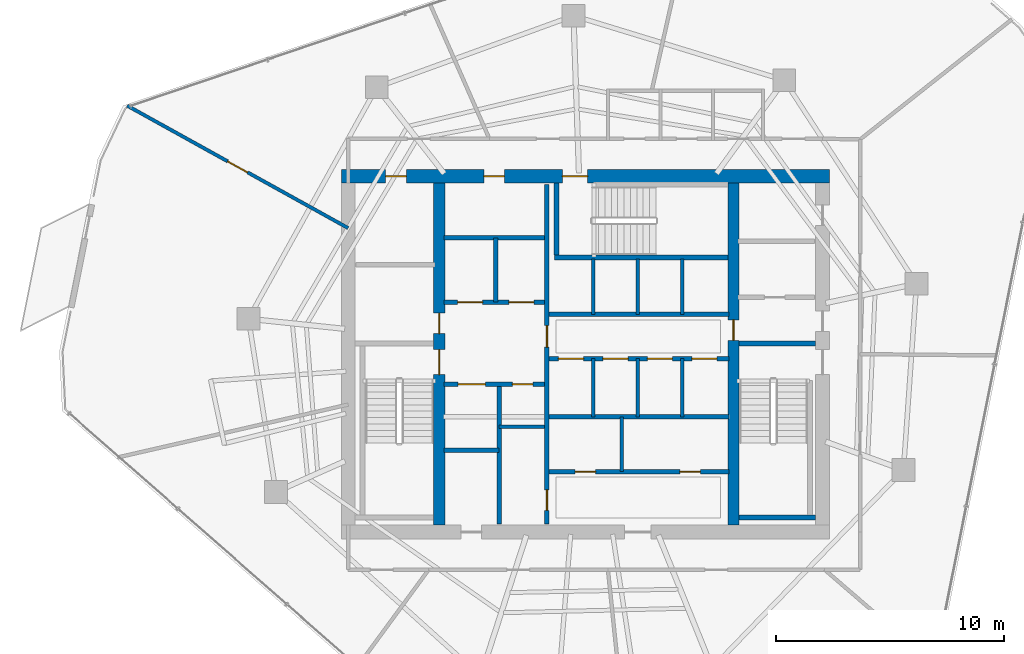
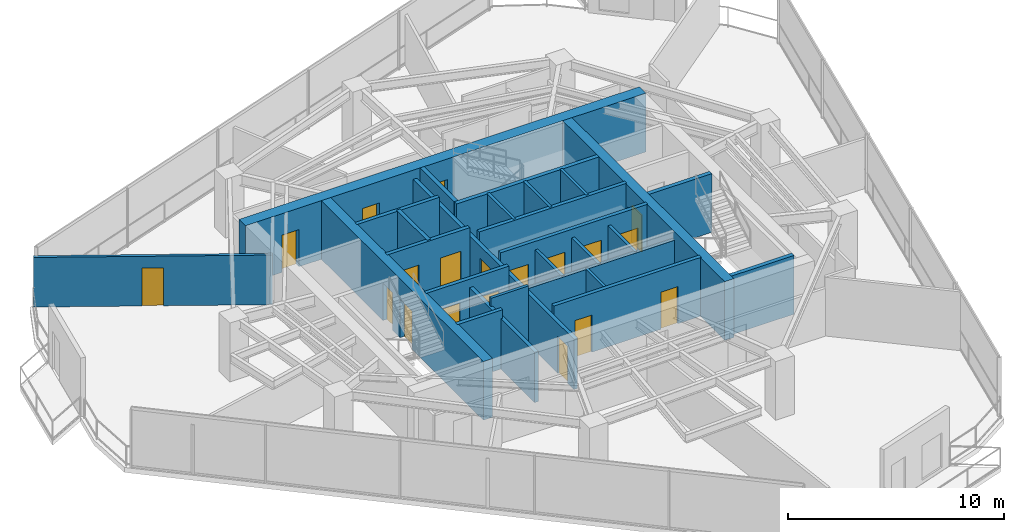
# One storey, part 16 of 20: 27 walls, 19 doors, 19 openings.
"""IFC4 building model written with IfcOpenShell, lengths in metres."""

from ifc_helpers import new_model, si_unit, direction, frame, frame_2d, origin, place, context, subcontext, project, spatial, rectangle, extrude, material, layer, layer_set, type_object, element, fill, save


model = new_model("IFC4")

# Units and contexts
model_context = context("Model", 3, precision=1e-05, world=origin(), true_north=direction((0.0, 1.0)))
body_context = subcontext(model_context, "Body", "Model", "MODEL_VIEW")
ifc_project = project(units=[si_unit("LENGTHUNIT", "METRE"), si_unit("AREAUNIT", "SQUARE_METRE"), si_unit("VOLUMEUNIT", "CUBIC_METRE"), si_unit("PLANEANGLEUNIT", "RADIAN"), si_unit("MASSUNIT", "GRAM", prefix="KILO")], contexts=[model_context])

# Site, building, storey
site_placement = place(None, origin())
site = spatial("IfcSite", under=ifc_project, at=site_placement, CompositionType="ELEMENT")
building_placement = place(site_placement, origin())
building = spatial("IfcBuilding", under=site, at=building_placement, Name="Qarnah Convention Tower", CompositionType="ELEMENT")
storey_placement = place(building_placement, frame((0.0, 0.0, 136.5)))
storey = spatial("IfcBuildingStorey", under=building, at=storey_placement, Name="L36", CompositionType="ELEMENT", Elevation=136.5)

# Wall, openings, doors
ifc_material_1 = material(Name="Concrete C60/75", Category="concrete")
ifc_layer_1 = layer(ifc_material_1, 0.60009765625)
ifc_layer_set_1 = layer_set([ifc_layer_1], Name="Concrete C60/75")
wall_type_1 = type_object("IfcWallType", Name="WL-CORE-600", PredefinedType="SHEAR", material=ifc_layer_set_1)
wall_1_placement = place(storey_placement, frame((26.5, 34.199951171875, 0.0), z_axis=(0.0, 0.0, 1.0), x_axis=(1.0, 0.0, 0.0)))
wall_1 = element("IfcWall", 1, at=wall_1_placement, inside=storey, type_object=wall_type_1, Name="L36 core north shear wall", PredefinedType="SHEAR", context=body_context, shape_type="SweptSolid", body=[
    extrude(rectangle(XDim=21.39990234375, YDim=0.60009765625, at=frame_2d((10.699951171875, 0.0))), origin(), (0.0, 0.0, 1.0), 3.320068359375),
])
opening_1_placement = place(wall_1_placement, frame((9.699951171875, 0.0, 0.0)))
opening_1 = element("IfcOpeningElement", 2, at=opening_1_placement, cuts=wall_1, Name="Opening D-3603", PredefinedType="OPENING", context=body_context, shape_type="SweptSolid", body=[
    extrude(rectangle(XDim=1.10009765625, YDim=2.14990234375, at=frame_2d((0.550048828125, 1.074951171875))), frame((0.0, 0.31005859375, 0.0), z_axis=(0.0, -1.0, 0.0), x_axis=(1.0, 0.0, 0.0)), (0.0, 0.0, 1.0), 0.6201171875),
])
opening_2_placement = place(wall_1_placement, frame((1.949951171875, 0.0, 0.0)))
opening_2 = element("IfcOpeningElement", 3, at=opening_2_placement, cuts=wall_1, Name="Opening D-3609", PredefinedType="OPENING", context=body_context, shape_type="SweptSolid", body=[
    extrude(rectangle(XDim=0.89990234375, YDim=2.10009765625, at=frame_2d((0.449951171875, 1.050048828125))), frame((0.0, 0.31005859375, 0.0), z_axis=(0.0, -1.0, 0.0), x_axis=(1.0, 0.0, 0.0)), (0.0, 0.0, 1.0), 0.6201171875),
])
opening_3_placement = place(wall_1_placement, frame((6.25, 0.0, 0.0)))
opening_3 = element("IfcOpeningElement", 4, at=opening_3_placement, cuts=wall_1, Name="Opening D-3610", PredefinedType="OPENING", context=body_context, shape_type="SweptSolid", body=[
    extrude(rectangle(XDim=0.89990234375, YDim=2.10009765625, at=frame_2d((0.449951171875, 1.050048828125))), frame((0.0, 0.31005859375, 0.0), z_axis=(0.0, -1.0, 0.0), x_axis=(1.0, 0.0, 0.0)), (0.0, 0.0, 1.0), 0.6201171875),
])
ifc_material_2 = material(Name="Structural steel S355JR", Category="steel")
door_type_1 = type_object("IfcDoorType", Name="DT-RISER-900", OperationType="NOTDEFINED", PredefinedType="DOOR", material=ifc_material_2)
door_1_placement = place(opening_2_placement, origin())
door_1 = element("IfcDoor", 5, at=door_1_placement, inside=storey, type_object=door_type_1, Name="Door D-3609", OperationType="SINGLE_SWING_RIGHT", OverallHeight=2.10009765625, OverallWidth=0.89990234375, PredefinedType="DOOR", context=body_context, shape_type="SweptSolid", body=[
    extrude(rectangle(XDim=0.89990234375, YDim=2.10009765625, at=frame_2d((0.449951171875, 1.050048828125))), frame((0.0, 0.02490234375, 0.0), z_axis=(0.0, -1.0, 0.0), x_axis=(1.0, 0.0, 0.0)), (0.0, 0.0, 1.0), 0.050048828125),
])
fill(opening_2, door_1)
door_2_placement = place(opening_3_placement, origin())
door_2 = element("IfcDoor", 6, at=door_2_placement, inside=storey, type_object=door_type_1, Name="Door D-3610", OperationType="SINGLE_SWING_LEFT", OverallHeight=2.10009765625, OverallWidth=0.89990234375, PredefinedType="DOOR", context=body_context, shape_type="SweptSolid", body=[
    extrude(rectangle(XDim=0.89990234375, YDim=2.10009765625, at=frame_2d((0.449951171875, 1.050048828125))), frame((0.0, 0.02490234375, 0.0), z_axis=(0.0, -1.0, 0.0), x_axis=(1.0, 0.0, 0.0)), (0.0, 0.0, 1.0), 0.050048828125),
])
fill(opening_3, door_2)
door_type_2 = type_object("IfcDoorType", Name="DT-STAIR-1100", OperationType="NOTDEFINED", PredefinedType="DOOR", material=ifc_material_2)
door_3_placement = place(opening_1_placement, origin())
door_3 = element("IfcDoor", 7, at=door_3_placement, inside=storey, type_object=door_type_2, Name="Door D-3603", OperationType="SINGLE_SWING_RIGHT", OverallHeight=2.14990234375, OverallWidth=1.10009765625, PredefinedType="DOOR", context=body_context, shape_type="SweptSolid", body=[
    extrude(rectangle(XDim=1.10009765625, YDim=2.14990234375, at=frame_2d((0.550048828125, 1.074951171875))), frame((0.0, 0.02490234375, 0.0), z_axis=(0.0, -1.0, 0.0), x_axis=(1.0, 0.0, 0.0)), (0.0, 0.0, 1.0), 0.050048828125),
])
fill(opening_1, door_3)

ifc_layer_2 = layer(ifc_material_1, 0.5)
ifc_layer_set_2 = layer_set([ifc_layer_2], Name="Concrete C60/75")
wall_type_2 = type_object("IfcWallType", Name="WL-CORE-INT-400", PredefinedType="SHEAR", material=ifc_layer_set_2)
wall_2_placement = place(storey_placement, frame((30.800048828125, 18.89990234375, 0.0), z_axis=(0.0, 0.0, 1.0), x_axis=(0.0, 1.0, 0.0)))
wall_2 = element("IfcWall", 8, at=wall_2_placement, inside=storey, type_object=wall_type_2, Name="L36 core west spine shear wall", PredefinedType="SHEAR", context=body_context, shape_type="SweptSolid", body=[
    extrude(rectangle(XDim=15.0, YDim=0.5, at=frame_2d((7.5, 0.0))), origin(), (0.0, 0.0, 1.0), 3.320068359375),
])
opening_4_placement = place(wall_2_placement, frame((6.60009765625, 0.0, 0.0)))
opening_4 = element("IfcOpeningElement", 9, at=opening_4_placement, cuts=wall_2, Name="Opening D-3601", PredefinedType="OPENING", context=body_context, shape_type="SweptSolid", body=[
    extrude(rectangle(XDim=1.10009765625, YDim=2.14990234375, at=frame_2d((0.550048828125, 1.074951171875))), frame((0.0, 0.260009765625, 0.0), z_axis=(0.0, -1.0, 0.0), x_axis=(1.0, 0.0, 0.0)), (0.0, 0.0, 1.0), 0.52001953125),
])
opening_5_placement = place(wall_2_placement, frame((8.39990234375, 0.0, 0.0)))
opening_5 = element("IfcOpeningElement", 10, at=opening_5_placement, cuts=wall_2, Name="Opening D-3608", PredefinedType="OPENING", context=body_context, shape_type="SweptSolid", body=[
    extrude(rectangle(XDim=0.89990234375, YDim=2.10009765625, at=frame_2d((0.449951171875, 1.050048828125))), frame((0.0, 0.260009765625, 0.0), z_axis=(0.0, -1.0, 0.0), x_axis=(1.0, 0.0, 0.0)), (0.0, 0.0, 1.0), 0.52001953125),
])
door_4_placement = place(opening_5_placement, origin())
door_4 = element("IfcDoor", 11, at=door_4_placement, inside=storey, type_object=door_type_1, Name="Door D-3608", OperationType="SINGLE_SWING_LEFT", OverallHeight=2.10009765625, OverallWidth=0.89990234375, PredefinedType="DOOR", context=body_context, shape_type="SweptSolid", body=[
    extrude(rectangle(XDim=0.89990234375, YDim=2.10009765625, at=frame_2d((0.449951171875, 1.050048828125))), frame((0.0, 0.02490234375, 0.0), z_axis=(0.0, -1.0, 0.0), x_axis=(1.0, 0.0, 0.0)), (0.0, 0.0, 1.0), 0.050048828125),
])
fill(opening_5, door_4)
door_5_placement = place(opening_4_placement, origin())
door_5 = element("IfcDoor", 12, at=door_5_placement, inside=storey, type_object=door_type_2, Name="Door D-3601", OperationType="SINGLE_SWING_RIGHT", OverallHeight=2.14990234375, OverallWidth=1.10009765625, PredefinedType="DOOR", context=body_context, shape_type="SweptSolid", body=[
    extrude(rectangle(XDim=1.10009765625, YDim=2.14990234375, at=frame_2d((0.550048828125, 1.074951171875))), frame((0.0, 0.02490234375, 0.0), z_axis=(0.0, -1.0, 0.0), x_axis=(1.0, 0.0, 0.0)), (0.0, 0.0, 1.0), 0.050048828125),
])
fill(opening_4, door_5)

# Wall, opening, door
wall_3_placement = place(storey_placement, frame((43.699951171875, 18.89990234375, 0.0), z_axis=(0.0, 0.0, 1.0), x_axis=(0.0, 1.0, 0.0)))
wall_3 = element("IfcWall", 13, at=wall_3_placement, inside=storey, type_object=wall_type_2, Name="L36 core east spine shear wall", PredefinedType="SHEAR", context=body_context, shape_type="SweptSolid", body=[
    extrude(rectangle(XDim=15.0, YDim=0.5, at=frame_2d((7.5, 0.0))), origin(), (0.0, 0.0, 1.0), 3.320068359375),
])
opening_6_placement = place(wall_3_placement, frame((8.10009765625, 0.0, 0.0)))
opening_6 = element("IfcOpeningElement", 14, at=opening_6_placement, cuts=wall_3, Name="Opening D-3605", PredefinedType="OPENING", context=body_context, shape_type="SweptSolid", body=[
    extrude(rectangle(XDim=0.89990234375, YDim=2.10009765625, at=frame_2d((0.449951171875, 1.050048828125))), frame((0.0, 0.260009765625, 0.0), z_axis=(0.0, -1.0, 0.0), x_axis=(1.0, 0.0, 0.0)), (0.0, 0.0, 1.0), 0.52001953125),
])
door_6_placement = place(opening_6_placement, origin())
door_6 = element("IfcDoor", 15, at=door_6_placement, inside=storey, type_object=door_type_1, Name="Door D-3605", OperationType="SINGLE_SWING_RIGHT", OverallHeight=2.10009765625, OverallWidth=0.89990234375, PredefinedType="DOOR", context=body_context, shape_type="SweptSolid", body=[
    extrude(rectangle(XDim=0.89990234375, YDim=2.10009765625, at=frame_2d((0.449951171875, 1.050048828125))), frame((0.0, 0.02490234375, 0.0), z_axis=(0.0, -1.0, 0.0), x_axis=(1.0, 0.0, 0.0)), (0.0, 0.0, 1.0), 0.050048828125),
])
fill(opening_6, door_6)

# Wall, openings, doors
ifc_material_3 = material(Name="Concrete C45/55", Category="concrete")
ifc_layer_3 = layer(ifc_material_3, 0.199951171875)
ifc_layer_set_3 = layer_set([ifc_layer_3], Name="Concrete C45/55")
wall_type_3 = type_object("IfcWallType", Name="WL-CORE-PART-200", PredefinedType="SOLIDWALL", material=ifc_layer_set_3)
wall_4_placement = place(storey_placement, frame((35.52001953125, 18.949951171875, 0.0), z_axis=(0.0, 0.0, 1.0), x_axis=(0.0, 1.0, 0.0)))
wall_4 = element("IfcWall", 16, at=wall_4_placement, inside=storey, type_object=wall_type_3, Name="L36 interior wall IW-L36-CSP", PredefinedType="SOLIDWALL", context=body_context, shape_type="SweptSolid", body=[
    extrude(rectangle(XDim=14.900146484375, YDim=0.199951171875, at=frame_2d((7.4501953125, 0.0))), origin(), (0.0, 0.0, 1.0), 2.841064453125),
])
opening_7_placement = place(wall_4_placement, frame((7.7548828125, 0.0, 0.0)))
opening_7 = element("IfcOpeningElement", 17, at=opening_7_placement, cuts=wall_4, Name="Opening D-3604", PredefinedType="OPENING", context=body_context, shape_type="SweptSolid", body=[
    extrude(rectangle(XDim=0.949951171875, YDim=2.14990234375, at=frame_2d((0.47509765625, 1.074951171875))), frame((0.0, 0.10986328125, 0.0), z_axis=(0.0, -1.0, 0.0), x_axis=(1.0, 0.0, 0.0)), (0.0, 0.0, 1.0), 0.219970703125),
])
opening_8_placement = place(wall_4_placement, frame((0.60009765625, 0.0, 0.0)))
opening_8 = element("IfcOpeningElement", 18, at=opening_8_placement, cuts=wall_4, Name="Opening D-3614", PredefinedType="OPENING", context=body_context, shape_type="SweptSolid", body=[
    extrude(rectangle(XDim=0.89990234375, YDim=2.10009765625, at=frame_2d((0.449951171875, 1.050048828125))), frame((0.0, 0.10986328125, 0.0), z_axis=(0.0, -1.0, 0.0), x_axis=(1.0, 0.0, 0.0)), (0.0, 0.0, 1.0), 0.219970703125),
])
ifc_material_4 = material(Name="Oak timber veneer", Category="wood")
door_type_3 = type_object("IfcDoorType", Name="DT-HOTEL-950", OperationType="NOTDEFINED", PredefinedType="DOOR", material=ifc_material_4)
door_7_placement = place(opening_7_placement, origin())
door_7 = element("IfcDoor", 19, at=door_7_placement, inside=storey, type_object=door_type_3, Name="Door D-3604", OperationType="SINGLE_SWING_LEFT", OverallHeight=2.14990234375, OverallWidth=0.949951171875, PredefinedType="DOOR", context=body_context, shape_type="SweptSolid", body=[
    extrude(rectangle(XDim=0.949951171875, YDim=2.14990234375, at=frame_2d((0.47509765625, 1.074951171875))), frame((0.0, 0.02490234375, 0.0), z_axis=(0.0, -1.0, 0.0), x_axis=(1.0, 0.0, 0.0)), (0.0, 0.0, 1.0), 0.050048828125),
])
fill(opening_7, door_7)
door_8_placement = place(opening_8_placement, origin())
door_8 = element("IfcDoor", 20, at=door_8_placement, inside=storey, type_object=door_type_1, Name="Door D-3614", OperationType="SINGLE_SWING_LEFT", OverallHeight=2.10009765625, OverallWidth=0.89990234375, PredefinedType="DOOR", context=body_context, shape_type="SweptSolid", body=[
    extrude(rectangle(XDim=0.89990234375, YDim=2.10009765625, at=frame_2d((0.449951171875, 1.050048828125))), frame((0.0, 0.02490234375, 0.0), z_axis=(0.0, -1.0, 0.0), x_axis=(1.0, 0.0, 0.0)), (0.0, 0.0, 1.0), 0.050048828125),
])
fill(opening_8, door_8)

wall_5_placement = place(storey_placement, frame((31.0, 28.679931640625, 0.0), z_axis=(0.0, 0.0, 1.0), x_axis=(1.0, 0.0, 0.0)))
wall_5 = element("IfcWall", 21, at=wall_5_placement, inside=storey, type_object=wall_type_3, Name="L36 interior wall IW-L36-FFLS", PredefinedType="SOLIDWALL", context=body_context, shape_type="SweptSolid", body=[
    extrude(rectangle(XDim=4.419921875, YDim=0.199951171875, at=frame_2d((2.2099609375, 0.0))), origin(), (0.0, 0.0, 1.0), 3.320068359375),
])
opening_9_placement = place(wall_5_placement, frame((0.60009765625, 0.0, 0.0)))
opening_9 = element("IfcOpeningElement", 22, at=opening_9_placement, cuts=wall_5, Name="Opening LD-3601", PredefinedType="OPENING", context=body_context, shape_type="SweptSolid", body=[
    extrude(rectangle(XDim=1.10009765625, YDim=2.14990234375, at=frame_2d((0.550048828125, 1.074951171875))), frame((0.0, 0.10986328125, 0.0), z_axis=(0.0, -1.0, 0.0), x_axis=(1.0, 0.0, 0.0)), (0.0, 0.0, 1.0), 0.219970703125),
])
opening_10_placement = place(wall_5_placement, frame((2.85009765625, 0.0, 0.0)))
opening_10 = element("IfcOpeningElement", 23, at=opening_10_placement, cuts=wall_5, Name="Opening LD-3602", PredefinedType="OPENING", context=body_context, shape_type="SweptSolid", body=[
    extrude(rectangle(XDim=1.10009765625, YDim=2.14990234375, at=frame_2d((0.550048828125, 1.074951171875))), frame((0.0, 0.10986328125, 0.0), z_axis=(0.0, -1.0, 0.0), x_axis=(1.0, 0.0, 0.0)), (0.0, 0.0, 1.0), 0.219970703125),
])
door_type_4 = type_object("IfcDoorType", Name="DT-LIFT-1100", OperationType="SLIDING_TO_LEFT", PredefinedType="DOOR", material=ifc_material_2)
door_9_placement = place(opening_9_placement, origin())
door_9 = element("IfcDoor", 24, at=door_9_placement, inside=storey, type_object=door_type_4, Name="Door LD-3601", OperationType="SLIDING_TO_LEFT", OverallHeight=2.14990234375, OverallWidth=1.10009765625, PredefinedType="DOOR", context=body_context, shape_type="SweptSolid", body=[
    extrude(rectangle(XDim=1.10009765625, YDim=2.14990234375, at=frame_2d((0.550048828125, 1.074951171875))), frame((0.0, 0.02490234375, 0.0), z_axis=(0.0, -1.0, 0.0), x_axis=(1.0, 0.0, 0.0)), (0.0, 0.0, 1.0), 0.050048828125),
])
fill(opening_9, door_9)
door_10_placement = place(opening_10_placement, origin())
door_10 = element("IfcDoor", 25, at=door_10_placement, inside=storey, type_object=door_type_4, Name="Door LD-3602", OperationType="SLIDING_TO_LEFT", OverallHeight=2.14990234375, OverallWidth=1.10009765625, PredefinedType="DOOR", context=body_context, shape_type="SweptSolid", body=[
    extrude(rectangle(XDim=1.10009765625, YDim=2.14990234375, at=frame_2d((0.550048828125, 1.074951171875))), frame((0.0, 0.02490234375, 0.0), z_axis=(0.0, -1.0, 0.0), x_axis=(1.0, 0.0, 0.0)), (0.0, 0.0, 1.0), 0.050048828125),
])
fill(opening_10, door_10)

# Walls
wall_6_placement = place(storey_placement, frame((31.0, 31.5, 0.0), z_axis=(0.0, 0.0, 1.0), x_axis=(1.0, 0.0, 0.0)))
element("IfcWall", 26, at=wall_6_placement, inside=storey, type_object=wall_type_3, Name="L36 interior wall IW-L36-FFLN", PredefinedType="SOLIDWALL", context=body_context, shape_type="SweptSolid", body=[
    extrude(rectangle(XDim=4.419921875, YDim=0.199951171875, at=frame_2d((2.2099609375, 0.0))), origin(), (0.0, 0.0, 1.0), 3.320068359375),
])
wall_7_placement = place(storey_placement, frame((33.280029296875, 28.679931640625, 0.0), z_axis=(0.0, 0.0, 1.0), x_axis=(0.0, 1.0, 0.0)))
element("IfcWall", 27, at=wall_7_placement, inside=storey, type_object=wall_type_3, Name="L36 interior wall IW-L36-FFLM", PredefinedType="SOLIDWALL", context=body_context, shape_type="SweptSolid", body=[
    extrude(rectangle(XDim=2.820068359375, YDim=0.199951171875, at=frame_2d((1.41015625, 0.0))), origin(), (0.0, 0.0, 1.0), 3.320068359375),
])

# Wall, openings, doors
wall_8_placement = place(storey_placement, frame((31.0, 25.080078125, 0.0), z_axis=(0.0, 0.0, 1.0), x_axis=(1.0, 0.0, 0.0)))
wall_8 = element("IfcWall", 28, at=wall_8_placement, inside=storey, type_object=wall_type_3, Name="L36 interior wall IW-L36-FFLBS", PredefinedType="SOLIDWALL", context=body_context, shape_type="SweptSolid", body=[
    extrude(rectangle(XDim=4.419921875, YDim=0.199951171875, at=frame_2d((2.2099609375, 0.0))), origin(), (0.0, 0.0, 1.0), 3.320068359375),
])
opening_11_placement = place(wall_8_placement, frame((3.0, 0.0, 0.0)))
opening_11 = element("IfcOpeningElement", 29, at=opening_11_placement, cuts=wall_8, Name="Opening D-3615", PredefinedType="OPENING", context=body_context, shape_type="SweptSolid", body=[
    extrude(rectangle(XDim=0.89990234375, YDim=2.10009765625, at=frame_2d((0.449951171875, 1.050048828125))), frame((0.0, 0.10986328125, 0.0), z_axis=(0.0, -1.0, 0.0), x_axis=(1.0, 0.0, 0.0)), (0.0, 0.0, 1.0), 0.219970703125),
])
opening_12_placement = place(wall_8_placement, frame((0.6201171875, 0.0, 0.0)))
opening_12 = element("IfcOpeningElement", 30, at=opening_12_placement, cuts=wall_8, Name="Opening LD-3603", PredefinedType="OPENING", context=body_context, shape_type="SweptSolid", body=[
    extrude(rectangle(XDim=1.199951171875, YDim=2.14990234375, at=frame_2d((0.60009765625, 1.074951171875))), frame((0.0, 0.10986328125, 0.0), z_axis=(0.0, -1.0, 0.0), x_axis=(1.0, 0.0, 0.0)), (0.0, 0.0, 1.0), 0.219970703125),
])
door_type_5 = type_object("IfcDoorType", Name="DT-LIFT-1200", OperationType="SLIDING_TO_LEFT", PredefinedType="DOOR", material=ifc_material_2)
door_11_placement = place(opening_12_placement, origin())
door_11 = element("IfcDoor", 31, at=door_11_placement, inside=storey, type_object=door_type_5, Name="Door LD-3603", OperationType="SLIDING_TO_LEFT", OverallHeight=2.14990234375, OverallWidth=1.199951171875, PredefinedType="DOOR", context=body_context, shape_type="SweptSolid", body=[
    extrude(rectangle(XDim=1.199951171875, YDim=2.14990234375, at=frame_2d((0.60009765625, 1.074951171875))), frame((0.0, 0.02490234375, 0.0), z_axis=(0.0, -1.0, 0.0), x_axis=(1.0, 0.0, 0.0)), (0.0, 0.0, 1.0), 0.050048828125),
])
fill(opening_12, door_11)
door_12_placement = place(opening_11_placement, origin())
door_12 = element("IfcDoor", 32, at=door_12_placement, inside=storey, type_object=door_type_1, Name="Door D-3615", OperationType="SINGLE_SWING_RIGHT", OverallHeight=2.10009765625, OverallWidth=0.89990234375, PredefinedType="DOOR", context=body_context, shape_type="SweptSolid", body=[
    extrude(rectangle(XDim=0.89990234375, YDim=2.10009765625, at=frame_2d((0.449951171875, 1.050048828125))), frame((0.0, 0.02490234375, 0.0), z_axis=(0.0, -1.0, 0.0), x_axis=(1.0, 0.0, 0.0)), (0.0, 0.0, 1.0), 0.050048828125),
])
fill(opening_11, door_12)

# Walls
wall_9_placement = place(storey_placement, frame((33.419921875, 18.949951171875, 0.0), z_axis=(0.0, 0.0, 1.0), x_axis=(0.0, 1.0, 0.0)))
element("IfcWall", 33, at=wall_9_placement, inside=storey, type_object=wall_type_3, Name="L36 interior wall IW-L36-SVLE", PredefinedType="SOLIDWALL", context=body_context, shape_type="SweptSolid", body=[
    extrude(rectangle(XDim=6.130126953125, YDim=0.199951171875, at=frame_2d((3.06494140625, 0.0))), origin(), (0.0, 0.0, 1.0), 2.841064453125),
])
wall_10_placement = place(storey_placement, frame((31.0, 22.179931640625, 0.0), z_axis=(0.0, 0.0, 1.0), x_axis=(1.0, 0.0, 0.0)))
element("IfcWall", 34, at=wall_10_placement, inside=storey, type_object=wall_type_3, Name="L36 interior wall IW-L36-SVLS", PredefinedType="SOLIDWALL", context=body_context, shape_type="SweptSolid", body=[
    extrude(rectangle(XDim=2.419921875, YDim=0.199951171875, at=frame_2d((1.2099609375, 0.0))), origin(), (0.0, 0.0, 1.0), 3.320068359375),
])
wall_11_placement = place(storey_placement, frame((35.6201171875, 28.14990234375, 0.0), z_axis=(0.0, 0.0, 1.0), x_axis=(1.0, 0.0, 0.0)))
element("IfcWall", 35, at=wall_11_placement, inside=storey, type_object=wall_type_3, Name="L36 interior wall IW-L36-PHS", PredefinedType="SOLIDWALL", context=body_context, shape_type="SweptSolid", body=[
    extrude(rectangle(XDim=7.8798828125, YDim=0.199951171875, at=frame_2d((3.93994140625, 0.0))), origin(), (0.0, 0.0, 1.0), 3.320068359375),
])

# Wall, openings, doors
wall_12_placement = place(storey_placement, frame((35.6201171875, 26.199951171875, 0.0), z_axis=(0.0, 0.0, 1.0), x_axis=(1.0, 0.0, 0.0)))
wall_12 = element("IfcWall", 36, at=wall_12_placement, inside=storey, type_object=wall_type_3, Name="L36 interior wall IW-L36-PMN", PredefinedType="SOLIDWALL", context=body_context, shape_type="SweptSolid", body=[
    extrude(rectangle(XDim=7.8798828125, YDim=0.199951171875, at=frame_2d((3.93994140625, 0.0))), origin(), (0.0, 0.0, 1.0), 3.320068359375),
])
opening_13_placement = place(wall_12_placement, frame((0.405029296875, 0.0, 0.0)))
opening_13 = element("IfcOpeningElement", 37, at=opening_13_placement, cuts=wall_12, Name="Opening LD-3604", PredefinedType="OPENING", context=body_context, shape_type="SweptSolid", body=[
    extrude(rectangle(XDim=1.10009765625, YDim=2.14990234375, at=frame_2d((0.550048828125, 1.074951171875))), frame((0.0, 0.10986328125, 0.0), z_axis=(0.0, -1.0, 0.0), x_axis=(1.0, 0.0, 0.0)), (0.0, 0.0, 1.0), 0.219970703125),
])
opening_14_placement = place(wall_12_placement, frame((2.35498046875, 0.0, 0.0)))
opening_14 = element("IfcOpeningElement", 38, at=opening_14_placement, cuts=wall_12, Name="Opening LD-3605", PredefinedType="OPENING", context=body_context, shape_type="SweptSolid", body=[
    extrude(rectangle(XDim=1.10009765625, YDim=2.14990234375, at=frame_2d((0.550048828125, 1.074951171875))), frame((0.0, 0.10986328125, 0.0), z_axis=(0.0, -1.0, 0.0), x_axis=(1.0, 0.0, 0.0)), (0.0, 0.0, 1.0), 0.219970703125),
])
opening_15_placement = place(wall_12_placement, frame((4.304931640625, 0.0, 0.0)))
opening_15 = element("IfcOpeningElement", 39, at=opening_15_placement, cuts=wall_12, Name="Opening LD-3606", PredefinedType="OPENING", context=body_context, shape_type="SweptSolid", body=[
    extrude(rectangle(XDim=1.10009765625, YDim=2.14990234375, at=frame_2d((0.550048828125, 1.074951171875))), frame((0.0, 0.10986328125, 0.0), z_axis=(0.0, -1.0, 0.0), x_axis=(1.0, 0.0, 0.0)), (0.0, 0.0, 1.0), 0.219970703125),
])
opening_16_placement = place(wall_12_placement, frame((6.2548828125, 0.0, 0.0)))
opening_16 = element("IfcOpeningElement", 40, at=opening_16_placement, cuts=wall_12, Name="Opening LD-3607", PredefinedType="OPENING", context=body_context, shape_type="SweptSolid", body=[
    extrude(rectangle(XDim=1.10009765625, YDim=2.14990234375, at=frame_2d((0.550048828125, 1.074951171875))), frame((0.0, 0.10986328125, 0.0), z_axis=(0.0, -1.0, 0.0), x_axis=(1.0, 0.0, 0.0)), (0.0, 0.0, 1.0), 0.219970703125),
])
door_13_placement = place(opening_13_placement, origin())
door_13 = element("IfcDoor", 41, at=door_13_placement, inside=storey, type_object=door_type_4, Name="Door LD-3604", OperationType="SLIDING_TO_LEFT", OverallHeight=2.14990234375, OverallWidth=1.10009765625, PredefinedType="DOOR", context=body_context, shape_type="SweptSolid", body=[
    extrude(rectangle(XDim=1.10009765625, YDim=2.14990234375, at=frame_2d((0.550048828125, 1.074951171875))), frame((0.0, 0.02490234375, 0.0), z_axis=(0.0, -1.0, 0.0), x_axis=(1.0, 0.0, 0.0)), (0.0, 0.0, 1.0), 0.050048828125),
])
fill(opening_13, door_13)
door_14_placement = place(opening_14_placement, origin())
door_14 = element("IfcDoor", 42, at=door_14_placement, inside=storey, type_object=door_type_4, Name="Door LD-3605", OperationType="SLIDING_TO_LEFT", OverallHeight=2.14990234375, OverallWidth=1.10009765625, PredefinedType="DOOR", context=body_context, shape_type="SweptSolid", body=[
    extrude(rectangle(XDim=1.10009765625, YDim=2.14990234375, at=frame_2d((0.550048828125, 1.074951171875))), frame((0.0, 0.02490234375, 0.0), z_axis=(0.0, -1.0, 0.0), x_axis=(1.0, 0.0, 0.0)), (0.0, 0.0, 1.0), 0.050048828125),
])
fill(opening_14, door_14)
door_15_placement = place(opening_15_placement, origin())
door_15 = element("IfcDoor", 43, at=door_15_placement, inside=storey, type_object=door_type_4, Name="Door LD-3606", OperationType="SLIDING_TO_LEFT", OverallHeight=2.14990234375, OverallWidth=1.10009765625, PredefinedType="DOOR", context=body_context, shape_type="SweptSolid", body=[
    extrude(rectangle(XDim=1.10009765625, YDim=2.14990234375, at=frame_2d((0.550048828125, 1.074951171875))), frame((0.0, 0.02490234375, 0.0), z_axis=(0.0, -1.0, 0.0), x_axis=(1.0, 0.0, 0.0)), (0.0, 0.0, 1.0), 0.050048828125),
])
fill(opening_15, door_15)
door_16_placement = place(opening_16_placement, origin())
door_16 = element("IfcDoor", 44, at=door_16_placement, inside=storey, type_object=door_type_4, Name="Door LD-3607", OperationType="SLIDING_TO_LEFT", OverallHeight=2.14990234375, OverallWidth=1.10009765625, PredefinedType="DOOR", context=body_context, shape_type="SweptSolid", body=[
    extrude(rectangle(XDim=1.10009765625, YDim=2.14990234375, at=frame_2d((0.550048828125, 1.074951171875))), frame((0.0, 0.02490234375, 0.0), z_axis=(0.0, -1.0, 0.0), x_axis=(1.0, 0.0, 0.0)), (0.0, 0.0, 1.0), 0.050048828125),
])
fill(opening_16, door_16)

# Wall
wall_13_placement = place(storey_placement, frame((35.6201171875, 23.64990234375, 0.0), z_axis=(0.0, 0.0, 1.0), x_axis=(1.0, 0.0, 0.0)))
element("IfcWall", 45, at=wall_13_placement, inside=storey, type_object=wall_type_3, Name="L36 interior wall IW-L36-PMPL", PredefinedType="SOLIDWALL", context=body_context, shape_type="SweptSolid", body=[
    extrude(rectangle(XDim=7.8798828125, YDim=0.199951171875, at=frame_2d((3.93994140625, 0.0))), origin(), (0.0, 0.0, 1.0), 2.841064453125),
])

# Wall, openings, doors
wall_14_placement = place(storey_placement, frame((35.6201171875, 21.25, 0.0), z_axis=(0.0, 0.0, 1.0), x_axis=(1.0, 0.0, 0.0)))
wall_14 = element("IfcWall", 46, at=wall_14_placement, inside=storey, type_object=wall_type_3, Name="L36 interior wall IW-L36-PLS", PredefinedType="SOLIDWALL", context=body_context, shape_type="SweptSolid", body=[
    extrude(rectangle(XDim=7.8798828125, YDim=0.199951171875, at=frame_2d((3.93994140625, 0.0))), origin(), (0.0, 0.0, 1.0), 3.320068359375),
])
opening_17_placement = place(wall_14_placement, frame((1.1298828125, 0.0, 0.0)))
opening_17 = element("IfcOpeningElement", 47, at=opening_17_placement, cuts=wall_14, Name="Opening D-3616", PredefinedType="OPENING", context=body_context, shape_type="SweptSolid", body=[
    extrude(rectangle(XDim=0.89990234375, YDim=2.10009765625, at=frame_2d((0.449951171875, 1.050048828125))), frame((0.0, 0.10986328125, 0.0), z_axis=(0.0, -1.0, 0.0), x_axis=(1.0, 0.0, 0.0)), (0.0, 0.0, 1.0), 0.219970703125),
])
opening_18_placement = place(wall_14_placement, frame((5.72998046875, 0.0, 0.0)))
opening_18 = element("IfcOpeningElement", 48, at=opening_18_placement, cuts=wall_14, Name="Opening D-3617", PredefinedType="OPENING", context=body_context, shape_type="SweptSolid", body=[
    extrude(rectangle(XDim=0.89990234375, YDim=2.10009765625, at=frame_2d((0.449951171875, 1.050048828125))), frame((0.0, 0.10986328125, 0.0), z_axis=(0.0, -1.0, 0.0), x_axis=(1.0, 0.0, 0.0)), (0.0, 0.0, 1.0), 0.219970703125),
])
door_17_placement = place(opening_17_placement, origin())
door_17 = element("IfcDoor", 49, at=door_17_placement, inside=storey, type_object=door_type_1, Name="Door D-3616", OperationType="SINGLE_SWING_LEFT", OverallHeight=2.10009765625, OverallWidth=0.89990234375, PredefinedType="DOOR", context=body_context, shape_type="SweptSolid", body=[
    extrude(rectangle(XDim=0.89990234375, YDim=2.10009765625, at=frame_2d((0.449951171875, 1.050048828125))), frame((0.0, 0.02490234375, 0.0), z_axis=(0.0, -1.0, 0.0), x_axis=(1.0, 0.0, 0.0)), (0.0, 0.0, 1.0), 0.050048828125),
])
fill(opening_17, door_17)
door_18_placement = place(opening_18_placement, origin())
door_18 = element("IfcDoor", 50, at=door_18_placement, inside=storey, type_object=door_type_1, Name="Door D-3617", OperationType="SINGLE_SWING_RIGHT", OverallHeight=2.10009765625, OverallWidth=0.89990234375, PredefinedType="DOOR", context=body_context, shape_type="SweptSolid", body=[
    extrude(rectangle(XDim=0.89990234375, YDim=2.10009765625, at=frame_2d((0.449951171875, 1.050048828125))), frame((0.0, 0.02490234375, 0.0), z_axis=(0.0, -1.0, 0.0), x_axis=(1.0, 0.0, 0.0)), (0.0, 0.0, 1.0), 0.050048828125),
])
fill(opening_18, door_18)

# Walls
ifc_layer_4 = layer(ifc_material_1, 0.219970703125)
ifc_layer_set_4 = layer_set([ifc_layer_4], Name="Concrete C60/75")
wall_type_4 = type_object("IfcWallType", Name="WL-CORE-STAIR-220", PredefinedType="SHEAR", material=ifc_layer_set_4)
for number, where, z_axis, x_axis, name in (
    (51, (43.949951171875, 26.860107421875, 0.0), (0.0, 0.0, 1.0), (1.0, 0.0, 0.0), "L36 stair shaft shear wall SW-L36-ST2N"),
    (52, (43.949951171875, 19.239990234375, 0.0), (0.0, 0.0, 1.0), (1.0, 0.0, 0.0), "L36 stair shaft shear wall SW-L36-ST2S"),
):
    element("IfcWall", number, at=place(storey_placement, frame(where, z_axis=z_axis, x_axis=x_axis)), inside=storey, type_object=wall_type_4, Name=name, PredefinedType="SHEAR", context=body_context, shape_type="SweptSolid", body=[
        extrude(rectangle(XDim=3.35009765625, YDim=0.219970703125, at=frame_2d((1.675048828125, 0.0))), origin(), (0.0, 0.0, 1.0), 3.320068359375),
    ])
wall_15_placement = place(storey_placement, frame((35.840087890625, 30.639892578125, 0.0), z_axis=(0.0, 0.0, 1.0), x_axis=(1.0, 0.0, 0.0)))
element("IfcWall", 53, at=wall_15_placement, inside=storey, type_object=wall_type_4, Name="L36 stair shaft shear wall SW-L36-ST3S", PredefinedType="SHEAR", context=body_context, shape_type="SweptSolid", body=[
    extrude(rectangle(XDim=7.60986328125, YDim=0.219970703125, at=frame_2d((3.804931640625, 0.0))), origin(), (0.0, 0.0, 1.0), 3.320068359375),
])
wall_16_placement = place(storey_placement, frame((35.93994140625, 30.75, 0.0), z_axis=(0.0, 0.0, 1.0), x_axis=(0.0, 1.0, 0.0)))
element("IfcWall", 54, at=wall_16_placement, inside=storey, type_object=wall_type_4, Name="L36 stair shaft shear wall SW-L36-ST3W", PredefinedType="SHEAR", context=body_context, shape_type="SweptSolid", body=[
    extrude(rectangle(XDim=3.14990234375, YDim=0.219970703125, at=frame_2d((1.574951171875, 0.0))), origin(), (0.0, 0.0, 1.0), 3.320068359375),
])
ifc_material_5 = material(Name="Gypsum partition board")
ifc_layer_5 = layer(ifc_material_5, 0.14990234375)
ifc_layer_set_5 = layer_set([ifc_layer_5], Name="Gypsum partition board")
wall_type_5 = type_object("IfcWallType", Name="WL-SUITE-150", PredefinedType="PARTITIONING", material=ifc_layer_set_5)
wall_17_placement = place(storey_placement, frame((33.419921875, 23.219970703125, 0.0), z_axis=(0.0, 0.0, 1.0), x_axis=(1.0, 0.0, 0.0)))
element("IfcWall", 55, at=wall_17_placement, inside=storey, type_object=wall_type_5, Name="L36 interior wall IW-L36-CSV1", PredefinedType="PARTITIONING", context=body_context, shape_type="SweptSolid", body=[
    extrude(rectangle(XDim=2.0, YDim=0.14990234375, at=frame_2d((1.0, 0.0))), origin(), (0.0, 0.0, 1.0), 3.320068359375),
])
for number, where, z_axis, x_axis, name in (
    (56, (37.550048828125, 28.14990234375, 0.0), (0.0, 0.0, 1.0), (0.0, 1.0, 0.0), "L36 interior wall IW-L36-PHD1"),
    (57, (39.5, 28.14990234375, 0.0), (0.0, 0.0, 1.0), (0.0, 1.0, 0.0), "L36 interior wall IW-L36-PHD2"),
    (58, (41.449951171875, 28.14990234375, 0.0), (0.0, 0.0, 1.0), (0.0, 1.0, 0.0), "L36 interior wall IW-L36-PHD3"),
):
    element("IfcWall", number, at=place(storey_placement, frame(where, z_axis=z_axis, x_axis=x_axis)), inside=storey, type_object=wall_type_5, Name=name, PredefinedType="PARTITIONING", context=body_context, shape_type="SweptSolid", body=[
        extrude(rectangle(XDim=2.43017578125, YDim=0.14990234375, at=frame_2d((1.215087890625, 0.0))), origin(), (0.0, 0.0, 1.0), 3.320068359375),
    ])
for number, where, z_axis, x_axis, name in (
    (59, (37.550048828125, 23.64990234375, 0.0), (0.0, 0.0, 1.0), (0.0, 1.0, 0.0), "L36 interior wall IW-L36-PMD1"),
    (60, (39.5, 23.64990234375, 0.0), (0.0, 0.0, 1.0), (0.0, 1.0, 0.0), "L36 interior wall IW-L36-PMD2"),
    (61, (41.449951171875, 23.64990234375, 0.0), (0.0, 0.0, 1.0), (0.0, 1.0, 0.0), "L36 interior wall IW-L36-PMD3"),
):
    element("IfcWall", number, at=place(storey_placement, frame(where, z_axis=z_axis, x_axis=x_axis)), inside=storey, type_object=wall_type_5, Name=name, PredefinedType="PARTITIONING", context=body_context, shape_type="SweptSolid", body=[
        extrude(rectangle(XDim=2.550048828125, YDim=0.14990234375, at=frame_2d((1.27490234375, 0.0))), origin(), (0.0, 0.0, 1.0), 2.841064453125),
    ])
wall_18_placement = place(storey_placement, frame((38.800048828125, 21.25, 0.0), z_axis=(0.0, 0.0, 1.0), x_axis=(0.0, 1.0, 0.0)))
element("IfcWall", 62, at=wall_18_placement, inside=storey, type_object=wall_type_5, Name="L36 interior wall IW-L36-PLFD", PredefinedType="PARTITIONING", context=body_context, shape_type="SweptSolid", body=[
    extrude(rectangle(XDim=2.39990234375, YDim=0.14990234375, at=frame_2d((1.199951171875, 0.0))), origin(), (0.0, 0.0, 1.0), 2.841064453125),
])

# Wall, opening, door
wall_19_placement = place(storey_placement, frame((17.114013671875, 37.2958984375, 0.0), z_axis=(0.0, 0.0, 1.0), x_axis=(0.874738013528, -0.48459612843, 0.0)))
wall_19 = element("IfcWall", 63, at=wall_19_placement, inside=storey, type_object=wall_type_5, Name="L36 interior wall IW-L36-R-20", PredefinedType="PARTITIONING", context=body_context, shape_type="SweptSolid", body=[
    extrude(rectangle(XDim=11.072998046875, YDim=0.14990234375, at=frame_2d((5.53662109375, 0.0))), origin(), (0.0, 0.0, 1.0), 2.804931640625),
])
opening_19_placement = place(wall_19_placement, frame((5.037109375, 0.0, 0.0)))
opening_19 = element("IfcOpeningElement", 64, at=opening_19_placement, cuts=wall_19, Name="Opening D-3625", PredefinedType="OPENING", context=body_context, shape_type="SweptSolid", body=[
    extrude(rectangle(XDim=1.0, YDim=2.14990234375, at=frame_2d((0.5, 1.074951171875))), frame((0.0, 0.0849609375, 0.0), z_axis=(0.0, -1.0, 0.0), x_axis=(1.0, 0.0, 0.0)), (0.0, 0.0, 1.0), 0.169921875),
])
door_type_6 = type_object("IfcDoorType", Name="DT-OFFICE-1000", OperationType="NOTDEFINED", PredefinedType="DOOR", material=ifc_material_4)
door_19_placement = place(opening_19_placement, origin())
door_19 = element("IfcDoor", 65, at=door_19_placement, inside=storey, type_object=door_type_6, Name="Door D-3625", OperationType="SINGLE_SWING_RIGHT", OverallHeight=2.14990234375, OverallWidth=1.0, PredefinedType="DOOR", context=body_context, shape_type="SweptSolid", body=[
    extrude(rectangle(XDim=1.0, YDim=2.14990234375, at=frame_2d((0.5, 1.074951171875))), frame((0.0, 0.02490234375, 0.0), z_axis=(0.0, -1.0, 0.0), x_axis=(1.0, 0.0, 0.0)), (0.0, 0.0, 1.0), 0.050048828125),
])
fill(opening_19, door_19)

save(model, "model.ifc")
